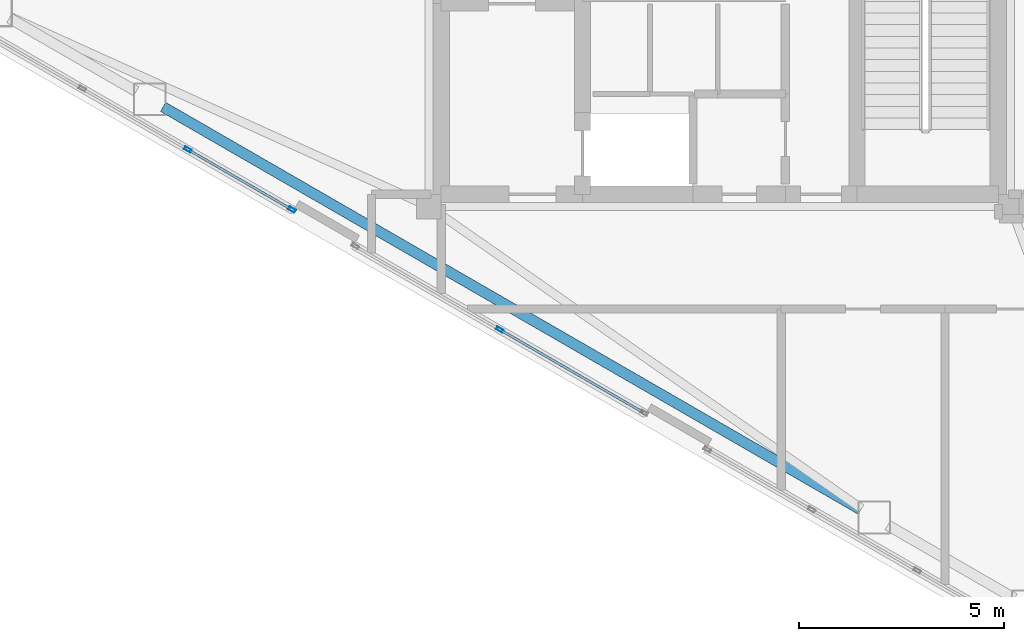
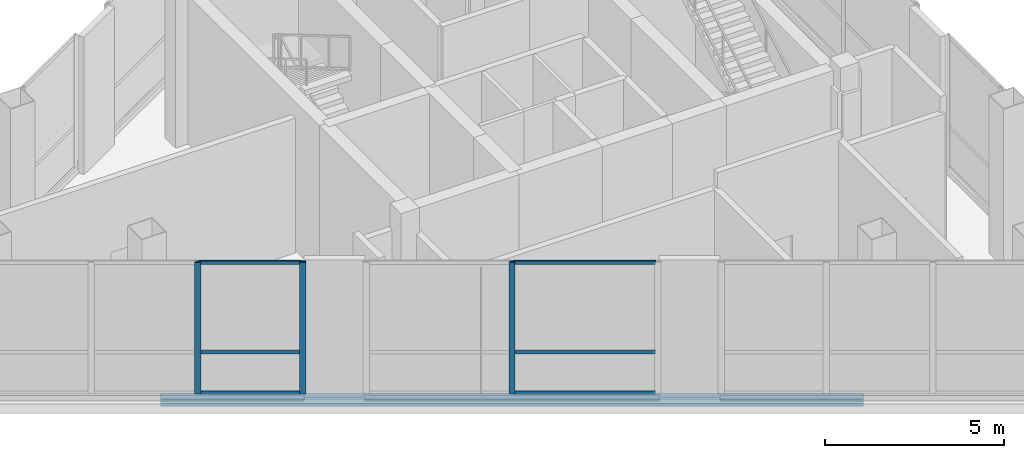
# One storey, part 2 of 13: 9 members, 1 beam, 2 elements without a shape of their own.
"""IFC4 building model written with IfcOpenShell, lengths in metres."""

import ifcopenshell
import ifcopenshell.guid

model = None  # the IFC model being written
_history = None  # IfcOwnerHistory: only IFC2X3 demands one
_inside = {}  # id of a spatial element -> (the spatial element, [elements in it])
_under = {}  # id of a project, library or spatial element -> (it, [spatial elements below it])
_declared = {}  # id of a project -> (the project, [libraries it declares])
_typed = {}  # id of a type object -> (the type object, [elements of that type])
_made_of = {}  # id of a material, layer set ... -> (it, [elements and type objects made of it])


def new_model(schema):
    """Start an empty IFC model of exactly this schema.

    Asked for "IFC4X3", IfcOpenShell would pick the latest addendum, in which some entities
    have other attributes; the version numbers below select the first issue.
    IFC2X3 requires an IfcOwnerHistory on every rooted entity: one is made here for all.
    """
    global model, _history
    if schema == "IFC4X3":
        model = ifcopenshell.file(schema_version=(4, 3, 0, 0))
    else:
        model = ifcopenshell.file(schema=schema)
    _inside.clear()
    _under.clear()
    _declared.clear()
    _typed.clear()
    _made_of.clear()
    _history = None
    if model.schema == "IFC2X3":
        org = make("IfcOrganization", Name="unknown")
        user = make(
            "IfcPersonAndOrganization",
            ThePerson=make("IfcPerson", FamilyName="unknown"),
            TheOrganization=org,
        )
        app = make(
            "IfcApplication",
            ApplicationDeveloper=org,
            Version="unknown",
            ApplicationFullName="unknown",
            ApplicationIdentifier="unknown",
        )
        _history = make(
            "IfcOwnerHistory",
            OwningUser=user,
            OwningApplication=app,
            ChangeAction="ADDED",
            CreationDate=0,
        )
    return model


def make(cls, **values):
    """One entity of the class cls with the attributes given. An attribute that is None is left unset."""
    return model.create_entity(
        cls, **{name: value for name, value in values.items() if value is not None}
    )


def rooted(cls, **values):
    """An entity with a GlobalId (a new one), such as an element, a storey or a relation."""
    return make(cls, GlobalId=ifcopenshell.guid.new(), OwnerHistory=_history, **values)


def si_unit(unit_type, name, prefix=None):
    """IfcSIUnit, for example si_unit("LENGTHUNIT", "METRE", prefix="MILLI")."""
    return make("IfcSIUnit", UnitType=unit_type, Prefix=prefix, Name=name)


def assignment(units):
    """IfcUnitAssignment: the units of a project."""
    return None if units is None else make("IfcUnitAssignment", Units=units)


def point(xyz):
    """IfcCartesianPoint."""
    return None if xyz is None else make("IfcCartesianPoint", Coordinates=xyz)


def direction(xyz):
    """IfcDirection."""
    return None if xyz is None else make("IfcDirection", DirectionRatios=xyz)


def frame(location, z_axis=None, x_axis=None):
    """IfcAxis2Placement3D, a coordinate frame: its origin and axes. An axis left out is left unset."""
    return make(
        "IfcAxis2Placement3D",
        Location=point(location),
        Axis=direction(z_axis),
        RefDirection=direction(x_axis),
    )


def frame_2d(location, x_axis=None):
    """IfcAxis2Placement2D, a coordinate frame in the plane: its origin and x axis."""
    return make(
        "IfcAxis2Placement2D", Location=point(location), RefDirection=direction(x_axis)
    )


def origin():
    """The frame at (0, 0, 0) with its axes left unset."""
    return frame((0.0, 0.0, 0.0))


def origin_2d():
    """The frame at (0, 0) in the plane with its x axis left unset."""
    return frame_2d((0.0, 0.0))


def place(relative_to, where):
    """IfcLocalPlacement: puts the frame where relative to a parent placement (None: the world)."""
    return make(
        "IfcLocalPlacement", PlacementRelTo=relative_to, RelativePlacement=where
    )


def context(
    kind, dimensions, precision=None, world=None, true_north=None, identifier=None
):
    """IfcGeometricRepresentationContext, for example the 3D "Model" context."""
    return make(
        "IfcGeometricRepresentationContext",
        ContextIdentifier=identifier,
        ContextType=kind,
        CoordinateSpaceDimension=dimensions,
        Precision=precision,
        WorldCoordinateSystem=world,
        TrueNorth=true_north,
    )


def subcontext(parent, identifier, kind, view, scale=None):
    """IfcGeometricRepresentationSubContext, for example "Body" below "Model"."""
    return make(
        "IfcGeometricRepresentationSubContext",
        ContextIdentifier=identifier,
        ContextType=kind,
        ParentContext=parent,
        TargetScale=scale,
        TargetView=view,
    )


def project(units=None, contexts=None):
    """IfcProject with its units and contexts."""
    return rooted(
        "IfcProject",
        Name="project",
        RepresentationContexts=contexts,
        UnitsInContext=assignment(units),
    )


def spatial(cls, under=None, at=None, **own):
    """A site, building, storey or space (cls), placed at a placement, below another one or the project."""
    s = rooted(cls, ObjectPlacement=at, **own)
    if under is not None:
        _under.setdefault(under.id(), (under, []))[1].append(s)
    return s


def profile(cls, at=None, kind="AREA", **sizes):
    """A parametric profile (cls). Its sizes go by their IFC names, for example OverallWidth=200.0."""
    return make(cls, ProfileType=kind, Position=at, **sizes)


def hollow_rectangle(**sizes):
    """IfcRectangleHollowProfileDef."""
    return profile("IfcRectangleHollowProfileDef", **sizes)


def i_section(**sizes):
    """IfcIShapeProfileDef."""
    return profile("IfcIShapeProfileDef", **sizes)


def extrude(swept, where, along, depth):
    """IfcExtrudedAreaSolid: the profile swept, set in the frame where, extruded along a direction by depth."""
    return make(
        "IfcExtrudedAreaSolid",
        SweptArea=swept,
        Position=where,
        ExtrudedDirection=direction(along),
        Depth=depth,
    )


def shape(context_of_items, identifier, shape_type, items):
    """IfcShapeRepresentation: the items that make up one representation, for example the "Body"."""
    return make(
        "IfcShapeRepresentation",
        ContextOfItems=context_of_items,
        RepresentationIdentifier=identifier,
        RepresentationType=shape_type,
        Items=items,
    )


def material(Name=None, Category=None):
    """IfcMaterial."""
    return make("IfcMaterial", Name=Name, Category=Category)


def layer(
    of_material, thickness, ventilated=None, Name=None, Category=None, Priority=None
):
    """IfcMaterialLayer: one layer of a wall or slab, of a material (None: an air gap)."""
    return make(
        "IfcMaterialLayer",
        Material=of_material,
        LayerThickness=thickness,
        IsVentilated=ventilated,
        Name=Name,
        Category=Category,
        Priority=Priority,
    )


def layer_set(layers, Name=None):
    """IfcMaterialLayerSet."""
    return make("IfcMaterialLayerSet", MaterialLayers=layers, LayerSetName=Name)


def material_profile(
    of_material, cross_section, Name=None, Category=None, Priority=None
):
    """IfcMaterialProfile: a cross section and its material."""
    return make(
        "IfcMaterialProfile",
        Name=Name,
        Material=of_material,
        Profile=cross_section,
        Priority=Priority,
        Category=Category,
    )


def profile_set(profiles, Name=None, composite=None):
    """IfcMaterialProfileSet."""
    return make(
        "IfcMaterialProfileSet",
        Name=Name,
        MaterialProfiles=profiles,
        CompositeProfile=composite,
    )


def made_of(thing, what):
    """Note that an element or type object is made of a material, layer set ...; save() writes the relation."""
    if what is not None:
        _made_of.setdefault(what.id(), (what, []))[1].append(thing)
    return thing


def type_object(cls, material=None, **own):
    """A type object (cls), such as IfcWallType, which elements share."""
    return made_of(rooted(cls, **own), material)


def element(
    cls,
    number,
    at=None,
    inside=None,
    cuts=None,
    type_object=None,
    material=None,
    context=None,
    identifier="Body",
    shape_type=None,
    held_by="IfcProductDefinitionShape",
    body=None,
    shapes=None,
    **own,
):
    """One element of the class cls, such as IfcWall. Its Tag is "e" and its number.

    at: its placement. inside: the storey or other place that contains it. cuts: it is an
    opening in that element (IfcRelVoidsElement). A single representation is given by context,
    identifier, shape_type and body (its items); several are given by shapes. held_by: the class
    of the entity that holds the representations. save() writes the other relations.
    """
    e = rooted(cls, Tag="e%d" % number, ObjectPlacement=at, **own)
    if body is not None:
        shapes = [shape(context, identifier, shape_type, body)]
    if shapes is not None:
        e.Representation = make(held_by, Representations=shapes)
    if inside is not None:
        _inside.setdefault(inside.id(), (inside, []))[1].append(e)
    if cuts is not None:
        rooted(
            "IfcRelVoidsElement", RelatingBuildingElement=cuts, RelatedOpeningElement=e
        )
    if type_object is not None:
        _typed.setdefault(type_object.id(), (type_object, []))[1].append(e)
    return made_of(e, material)


def aggregate(whole, parts):
    """IfcRelAggregates: a whole, such as a stair, and the parts it consists of."""
    return rooted("IfcRelAggregates", RelatingObject=whole, RelatedObjects=parts)


def save(model, path):
    """Write the relations noted so far, then the file.

    IfcRelAggregates (storeys below a building ...), IfcRelContainedInSpatialStructure (elements
    in a storey), IfcRelDefinesByType, IfcRelAssociatesMaterial and IfcRelDeclares: one each for
    every whole, place, type object, material and project.
    """
    for whole, parts in _under.values():
        aggregate(whole, parts)
    for where, things in _inside.values():
        rooted(
            "IfcRelContainedInSpatialStructure",
            RelatedElements=things,
            RelatingStructure=where,
        )
    for kind, things in _typed.values():
        rooted("IfcRelDefinesByType", RelatedObjects=things, RelatingType=kind)
    for what, things in _made_of.values():
        rooted("IfcRelAssociatesMaterial", RelatedObjects=things, RelatingMaterial=what)
    for by, libraries in _declared.values():
        rooted("IfcRelDeclares", RelatingContext=by, RelatedDefinitions=libraries)
    model.write(path)


model = new_model("IFC4")

# Units and contexts
model_context = context("Model", 3, precision=1e-05, world=origin(), true_north=direction((0.0, 1.0)))
body_context = subcontext(model_context, "Body", "Model", "MODEL_VIEW")
ifc_project = project(units=[si_unit("LENGTHUNIT", "METRE"), si_unit("AREAUNIT", "SQUARE_METRE"), si_unit("VOLUMEUNIT", "CUBIC_METRE"), si_unit("PLANEANGLEUNIT", "RADIAN"), si_unit("MASSUNIT", "GRAM", prefix="KILO")], contexts=[model_context])

# Site, building, storey
site_placement = place(None, origin())
site = spatial("IfcSite", under=ifc_project, at=site_placement, CompositionType="ELEMENT")
building_placement = place(site_placement, origin())
building = spatial("IfcBuilding", under=site, at=building_placement, Name="Mersakhor Tower and Convention Hall", CompositionType="ELEMENT")
storey_placement = place(building_placement, frame((0.0, 0.0, 258.60009765625)))
storey = spatial("IfcBuildingStorey", under=building, at=storey_placement, Name="L72", CompositionType="ELEMENT", Elevation=258.60009765625)

# Beam
ifc_material_1 = material(Name="Steel S355", Category="steel")
ifc_material_profile_1 = material_profile(ifc_material_1, i_section(OverallWidth=0.25634765625, OverallDepth=0.26025390625, WebThickness=0.01025390625, FlangeThickness=0.017333984375, at=origin_2d()), Name="UC 254x254x89")
ifc_profile_set_1 = profile_set([ifc_material_profile_1], Name="Steel S355")
beam_type = type_object("IfcBeamType", Name="BM-SPD-UC254", PredefinedType="SPANDREL", material=ifc_profile_set_1)
beam_placement = place(storey_placement, frame((32.4423828125, 13.050537109375, -0.4501953125), z_axis=(-0.866021610626, 0.500006569886, 0.0), x_axis=(-0.500006569886, -0.866021610626, 0.0)))
element("IfcBeam", 1, at=beam_placement, inside=storey, type_object=beam_type, Name="L72 Perimeter Spandrel Beam SPB-10", PredefinedType="SPANDREL", context=body_context, shape_type="SweptSolid", body=[
    extrude(i_section(OverallWidth=0.25634765625, OverallDepth=0.26025390625, WebThickness=0.01025390625, FlangeThickness=0.017333984375, at=origin_2d()), origin(), (0.0, 0.0, 1.0), 19.661865234375),
])

# Curtain wall, member
ifc_material_2 = material(Name="Dark solar low-E aluminium curtain wall", Category="aluminium")
ifc_layer = layer(ifc_material_2, 0.2099609375)
ifc_layer_set = layer_set([ifc_layer], Name="Dark solar low-E aluminium curtain wall")
curtain_wall_type = type_object("IfcCurtainWallType", Name="CW-SYS-06", PredefinedType="USERDEFINED", material=ifc_layer_set)
curtain_wall_1_placement = place(storey_placement, origin())
curtain_wall_1 = element("IfcCurtainWall", 2, at=curtain_wall_1_placement, inside=storey, type_object=curtain_wall_type, Name="L72 Dark-Glass Curtain Wall F3-B2", ObjectType="CURTAIN WALL", PredefinedType="USERDEFINED")
ifc_material_3 = material(Name="Anodised aluminium EN AW-6063 T6", Category="aluminium")
ifc_material_profile_2 = material_profile(ifc_material_3, hollow_rectangle(XDim=0.080078125, YDim=0.179931640625, WallThickness=0.008056640625, at=origin_2d()), Name="RHS 180x80x8")
ifc_profile_set_2 = profile_set([ifc_material_profile_2], Name="Anodised aluminium EN AW-6063 T6")
member_type_1 = type_object("IfcMemberType", Name="CWM-180x80", PredefinedType="MULLION", material=ifc_profile_set_2)
member_1_placement = place(storey_placement, frame((23.628662109375, 17.446533203125, 0.199951171875), z_axis=(0.0, 0.0, 1.0), x_axis=(-0.500004411169, -0.86602285698, 0.0)))
member_1 = element("IfcMember", 3, at=member_1_placement, type_object=member_type_1, Name="CW-06 mullion 2", PredefinedType="MULLION", context=body_context, shape_type="SweptSolid", body=[
    extrude(hollow_rectangle(XDim=0.080078125, YDim=0.179931640625, WallThickness=0.008056640625, at=origin_2d()), origin(), (0.0, 0.0, 1.0), 4.5),
])

# Curtain wall, members
curtain_wall_2_placement = place(storey_placement, origin())
curtain_wall_2 = element("IfcCurtainWall", 4, at=curtain_wall_2_placement, inside=storey, type_object=curtain_wall_type, Name="L72 Dark-Glass Curtain Wall F3-B3", ObjectType="CURTAIN WALL", PredefinedType="USERDEFINED")
member_2_placement = place(storey_placement, frame((18.558837890625, 20.373291015625, 0.199951171875), z_axis=(0.0, 0.0, 1.0), x_axis=(-0.5000000776, -0.866025358982, 0.0)))
member_2 = element("IfcMember", 5, at=member_2_placement, type_object=member_type_1, Name="CW-06 mullion 1", PredefinedType="MULLION", context=body_context, shape_type="SweptSolid", body=[
    extrude(hollow_rectangle(XDim=0.080078125, YDim=0.179931640625, WallThickness=0.008056640625, at=origin_2d()), origin(), (0.0, 0.0, 1.0), 4.5),
])
member_3_placement = place(storey_placement, frame((16.016357421875, 21.84130859375, 0.199951171875), z_axis=(0.0, 0.0, 1.0), x_axis=(-0.5000000776, -0.866025358982, 0.0)))
member_3 = element("IfcMember", 6, at=member_3_placement, type_object=member_type_1, Name="CW-06 mullion 2", PredefinedType="MULLION", context=body_context, shape_type="SweptSolid", body=[
    extrude(hollow_rectangle(XDim=0.080078125, YDim=0.179931640625, WallThickness=0.008056640625, at=origin_2d()), origin(), (0.0, 0.0, 1.0), 4.5),
])

# Member
ifc_material_4 = material(Name="Anodised aluminium EN AW-6063 T6", Category="aluminium")
ifc_material_profile_3 = material_profile(ifc_material_4, hollow_rectangle(XDim=0.06005859375, YDim=0.1201171875, WallThickness=0.0048828125, at=origin_2d()), Name="RHS 120x60x5")
ifc_profile_set_3 = profile_set([ifc_material_profile_3], Name="Anodised aluminium EN AW-6063 T6")
member_type_2 = type_object("IfcMemberType", Name="CWT-120x60", PredefinedType="USERDEFINED", material=ifc_profile_set_3)
member_4_placement = place(storey_placement, frame((27.1220703125, 15.429443359375, 0.22998046875), z_axis=(-0.866007437469, 0.50003111728, 0.0), x_axis=(-0.50003111728, -0.866007437469, 0.0)))
member_4 = element("IfcMember", 7, at=member_4_placement, type_object=member_type_2, Name="CW-06 transom 1.1", ObjectType="TRANSOM", PredefinedType="USERDEFINED", context=body_context, shape_type="SweptSolid", body=[
    extrude(hollow_rectangle(XDim=0.06005859375, YDim=0.1201171875, WallThickness=0.0048828125, at=origin_2d()), origin(), (0.0, 0.0, 1.0), 3.993896484375),
])

member_5_placement = place(storey_placement, frame((27.1220703125, 15.429443359375, 1.619873046875), z_axis=(-0.866007437469, 0.50003111728, 0.0), x_axis=(-0.50003111728, -0.866007437469, 0.0)))
member_5 = element("IfcMember", 8, at=member_5_placement, type_object=member_type_2, Name="CW-06 transom 1.2", ObjectType="TRANSOM", PredefinedType="USERDEFINED", context=body_context, shape_type="SweptSolid", body=[
    extrude(hollow_rectangle(XDim=0.06005859375, YDim=0.1201171875, WallThickness=0.0048828125, at=origin_2d()), origin(), (0.0, 0.0, 1.0), 3.993896484375),
])

member_6_placement = place(storey_placement, frame((27.1220703125, 15.429443359375, 4.669921875), z_axis=(-0.866007437469, 0.50003111728, 0.0), x_axis=(-0.50003111728, -0.866007437469, 0.0)))
member_6 = element("IfcMember", 9, at=member_6_placement, type_object=member_type_2, Name="CW-06 transom 1.3", ObjectType="TRANSOM", PredefinedType="USERDEFINED", context=body_context, shape_type="SweptSolid", body=[
    extrude(hollow_rectangle(XDim=0.06005859375, YDim=0.1201171875, WallThickness=0.0048828125, at=origin_2d()), origin(), (0.0, 0.0, 1.0), 3.993896484375),
])

aggregate(curtain_wall_1, [member_1, member_4, member_5, member_6])

member_7_placement = place(storey_placement, frame((18.5244140625, 20.393310546875, 0.22998046875), z_axis=(-0.866030422172, 0.499991307796, 0.0), x_axis=(-0.499991307796, -0.866030422172, 0.0)))
member_7 = element("IfcMember", 10, at=member_7_placement, type_object=member_type_2, Name="CW-06 transom 1.1", ObjectType="TRANSOM", PredefinedType="USERDEFINED", context=body_context, shape_type="SweptSolid", body=[
    extrude(hollow_rectangle(XDim=0.06005859375, YDim=0.1201171875, WallThickness=0.0048828125, at=origin_2d()), origin(), (0.0, 0.0, 1.0), 2.85595703125),
])

member_8_placement = place(storey_placement, frame((18.5244140625, 20.393310546875, 1.619873046875), z_axis=(-0.866030422172, 0.499991307796, 0.0), x_axis=(-0.499991307796, -0.866030422172, 0.0)))
member_8 = element("IfcMember", 11, at=member_8_placement, type_object=member_type_2, Name="CW-06 transom 1.2", ObjectType="TRANSOM", PredefinedType="USERDEFINED", context=body_context, shape_type="SweptSolid", body=[
    extrude(hollow_rectangle(XDim=0.06005859375, YDim=0.1201171875, WallThickness=0.0048828125, at=origin_2d()), origin(), (0.0, 0.0, 1.0), 2.85595703125),
])

member_9_placement = place(storey_placement, frame((18.5244140625, 20.393310546875, 4.669921875), z_axis=(-0.866030422172, 0.499991307796, 0.0), x_axis=(-0.499991307796, -0.866030422172, 0.0)))
member_9 = element("IfcMember", 12, at=member_9_placement, type_object=member_type_2, Name="CW-06 transom 1.3", ObjectType="TRANSOM", PredefinedType="USERDEFINED", context=body_context, shape_type="SweptSolid", body=[
    extrude(hollow_rectangle(XDim=0.06005859375, YDim=0.1201171875, WallThickness=0.0048828125, at=origin_2d()), origin(), (0.0, 0.0, 1.0), 2.85595703125),
])

aggregate(curtain_wall_2, [member_2, member_3, member_7, member_8, member_9])

save(model, "model.ifc")
